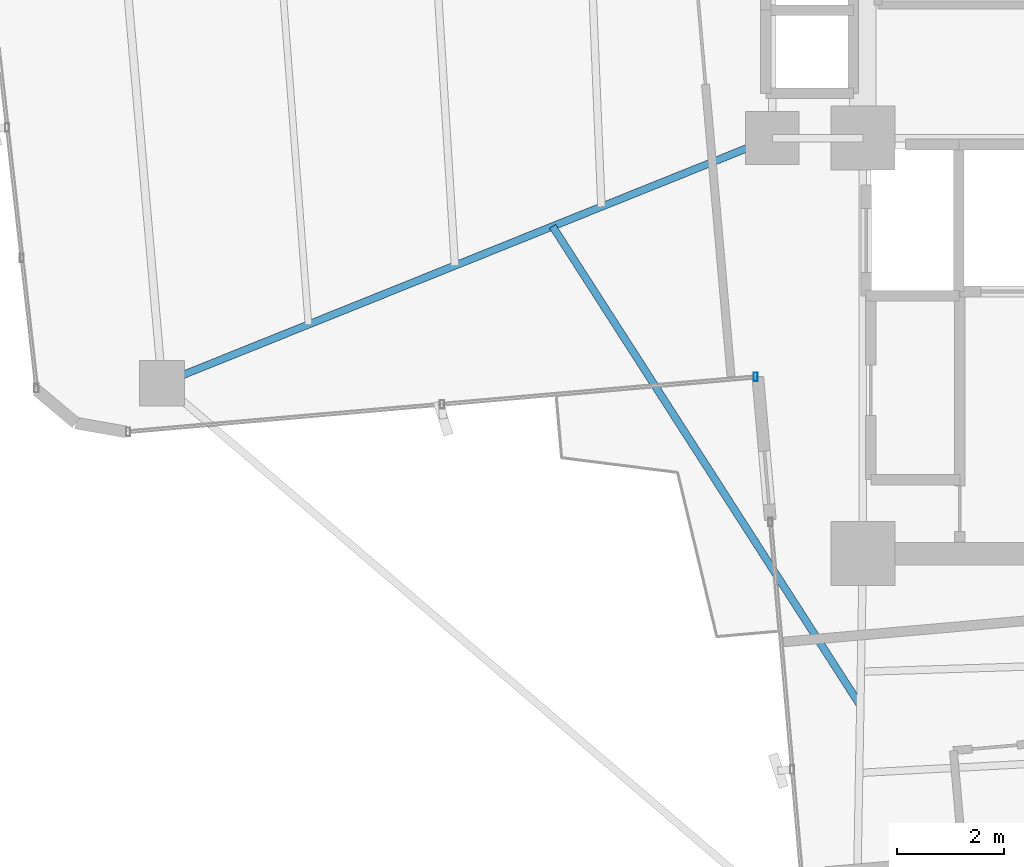
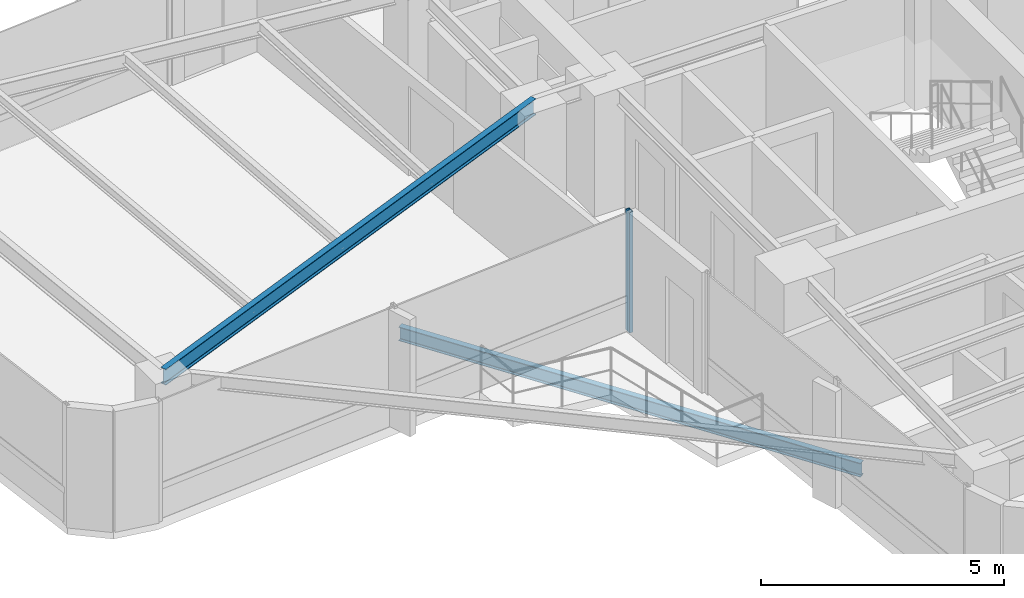
# One storey, part 5 of 24: 2 beams, 1 member, 1 element without a shape of its own.
"""IFC4 building model written with IfcOpenShell, lengths in metres."""

from ifc_helpers import new_model, si_unit, direction, frame, origin, origin_2d, place, context, subcontext, project, spatial, hollow_rectangle, i_section, extrude, source, transform, mapped, material, material_profile, profile_set, type_object, element, aggregate, save


model = new_model("IFC4")

# Units and contexts
model_context = context("Model", 3, precision=1e-05, world=origin(), true_north=direction((0.0, 1.0)))
body_context = subcontext(model_context, "Body", "Model", "MODEL_VIEW")
ifc_project = project(units=[si_unit("LENGTHUNIT", "METRE"), si_unit("AREAUNIT", "SQUARE_METRE"), si_unit("VOLUMEUNIT", "CUBIC_METRE"), si_unit("PLANEANGLEUNIT", "RADIAN"), si_unit("MASSUNIT", "GRAM", prefix="KILO")], contexts=[model_context])

# Site, building, storey
site_placement = place(None, origin())
site = spatial("IfcSite", under=ifc_project, at=site_placement, CompositionType="ELEMENT")
building_placement = place(site_placement, origin())
building = spatial("IfcBuilding", under=site, at=building_placement, Name="Sahyath Konkavel Grand Hotel", CompositionType="ELEMENT")
storey_placement = place(building_placement, frame((0.0, 0.0, 198.64990234375)))
storey = spatial("IfcBuildingStorey", under=building, at=storey_placement, Name="L55", CompositionType="ELEMENT", Elevation=198.64990234375)

# Beam
ifc_material_1 = material(Name="Steel E350", Category="steel")
ifc_material_profile_1 = material_profile(ifc_material_1, i_section(OverallWidth=0.139892578125, OverallDepth=0.39990234375, WebThickness=0.0087890625, FlangeThickness=0.01611328125, FilletRadius=0.013916015625, at=origin_2d()), Name="ISMB 400")
ifc_profile_set_1 = profile_set([ifc_material_profile_1], Name="Steel E350")
beam_type_1 = type_object("IfcBeamType", Name="BM-ISMB400", PredefinedType="BEAM", material=ifc_profile_set_1)
shared_shape_1 = source(origin(), body_context, "Body", "SweptSolid", [
    extrude(i_section(OverallWidth=0.139892578125, OverallDepth=0.39990234375, WebThickness=0.0087890625, FlangeThickness=0.01611328125, FilletRadius=0.013916015625, at=origin_2d()), origin(), (0.0, 0.0, 1.0), 12.344970703125),
])
beam_1_placement = place(storey_placement, frame((-5.5, -2.39990234375, 2.830078125), z_axis=(-0.927837014101, -0.372985891507, 0.0), x_axis=(0.372985891507, -0.927837014101, 0.0)))
element("IfcBeam", 1, at=beam_1_placement, inside=storey, type_object=beam_type_1, Name="L55 Cruciform Radial Girder WB", PredefinedType="BEAM", context=body_context, shape_type="MappedRepresentation", body=[
    mapped(shared_shape_1, transform((0.0, 0.0, 0.0), scale=1.0)),
])

# Curtain wall, member
ifc_material_2 = material(Name="Anodised Bronze Aluminium & Low-E Glazing", Category="aluminium")
curtain_wall_type = type_object("IfcCurtainWallType", Name="CW-ZONE3", PredefinedType="NOTDEFINED", material=ifc_material_2)
curtain_wall_placement = place(storey_placement, origin())
curtain_wall = element("IfcCurtainWall", 2, at=curtain_wall_placement, inside=storey, type_object=curtain_wall_type, Name="L55 Unitised Curtain Wall F23", PredefinedType="NOTDEFINED")
ifc_material_3 = material(Name="Anodised Bronze Aluminium", Category="aluminium")
ifc_material_profile_2 = material_profile(ifc_material_3, hollow_rectangle(XDim=0.080078125, YDim=0.159912109375, WallThickness=0.006103515625, at=origin_2d()), Name="RHS 160x80x6")
ifc_profile_set_2 = profile_set([ifc_material_profile_2], Name="Anodised Bronze Aluminium")
member_type = type_object("IfcMemberType", Name="CW-MUL-160", PredefinedType="MULLION", material=ifc_profile_set_2)
shared_shape_2 = source(origin(), body_context, "Body", "SweptSolid", [
    extrude(hollow_rectangle(XDim=0.080078125, YDim=0.159912109375, WallThickness=0.006103515625, at=origin_2d()), origin(), (0.0, 0.0, 1.0), 3.030029296875),
])
member_placement = place(storey_placement, frame((-5.812255859375, -6.8828125, 0.0), z_axis=(0.0, 0.0, 1.0), x_axis=(1.0, 0.0, 0.0)))
member = element("IfcMember", 3, at=member_placement, type_object=member_type, Name="L55 Curtain Wall Mullion F23-2", PredefinedType="MULLION", context=body_context, shape_type="MappedRepresentation", body=[
    mapped(shared_shape_2, transform((0.0, 0.0, 0.0), scale=1.0)),
])
aggregate(curtain_wall, [member])

# Beam
ifc_material_profile_3 = material_profile(ifc_material_1, i_section(OverallWidth=0.139892578125, OverallDepth=0.35009765625, WebThickness=0.008056640625, FlangeThickness=0.01416015625, FilletRadius=0.013916015625, at=origin_2d()), Name="ISMB 350")
ifc_profile_set_3 = profile_set([ifc_material_profile_3], Name="Steel E350")
beam_type_2 = type_object("IfcBeamType", Name="BM-BALC-CANT", PredefinedType="BEAM", material=ifc_profile_set_3)
shared_shape_3 = source(origin(), body_context, "Body", "SweptSolid", [
    extrude(i_section(OverallWidth=0.139892578125, OverallDepth=0.35009765625, WebThickness=0.008056640625, FlangeThickness=0.01416015625, FilletRadius=0.013916015625, at=origin_2d()), origin(), (0.0, 0.0, 1.0), 10.685302734375),
])
beam_2_placement = place(storey_placement, frame((-9.62353515625, -4.0576171875, -0.414794921875), z_axis=(0.540404181048, -0.841405562797, 0.0), x_axis=(0.841405562797, 0.540404181048, 0.0)))
element("IfcBeam", 4, at=beam_2_placement, inside=storey, type_object=beam_type_2, Name="L55 Balcony Cantilever Support Beam SW", PredefinedType="BEAM", context=body_context, shape_type="MappedRepresentation", body=[
    mapped(shared_shape_3, transform((0.0, 0.0, 0.0), scale=1.0)),
])

save(model, "model.ifc")
